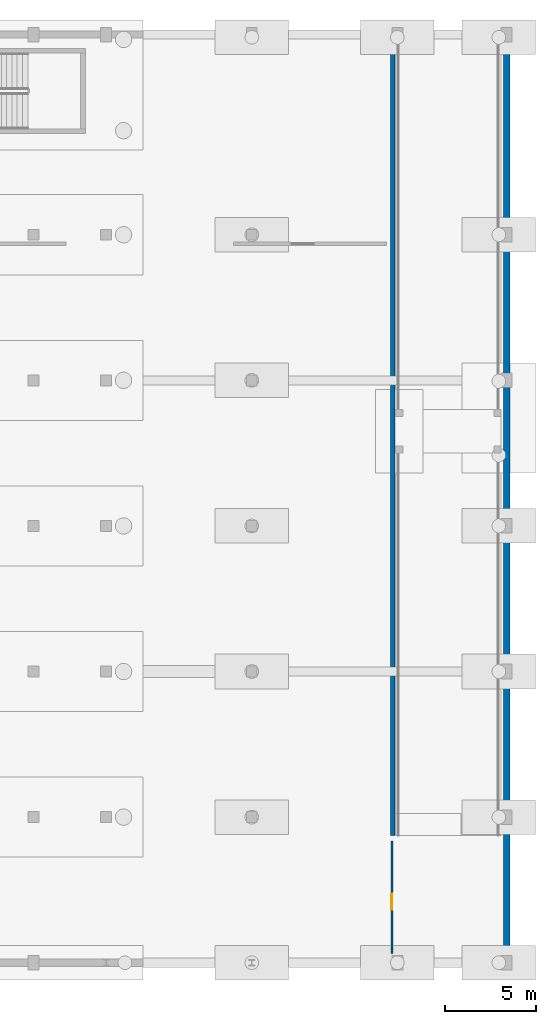
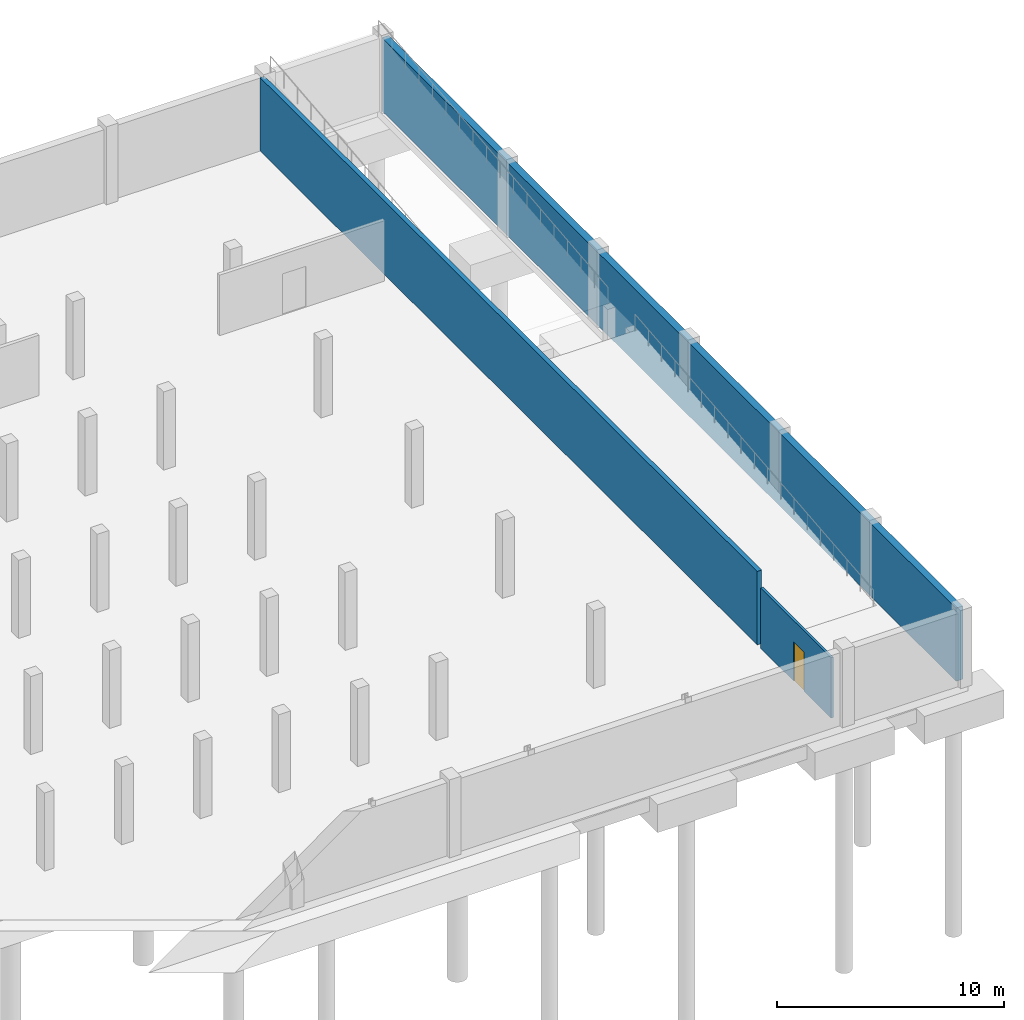
# One storey, part 9 of 15: 3 walls, 1 door, 1 opening.
"""IFC4 building model written with IfcOpenShell, lengths in metres."""

import ifcopenshell
import ifcopenshell.guid

model = None  # the IFC model being written
_history = None  # IfcOwnerHistory: only IFC2X3 demands one
_inside = {}  # id of a spatial element -> (the spatial element, [elements in it])
_under = {}  # id of a project, library or spatial element -> (it, [spatial elements below it])
_declared = {}  # id of a project -> (the project, [libraries it declares])
_typed = {}  # id of a type object -> (the type object, [elements of that type])
_made_of = {}  # id of a material, layer set ... -> (it, [elements and type objects made of it])


def new_model(schema):
    """Start an empty IFC model of exactly this schema.

    Asked for "IFC4X3", IfcOpenShell would pick the latest addendum, in which some entities
    have other attributes; the version numbers below select the first issue.
    IFC2X3 requires an IfcOwnerHistory on every rooted entity: one is made here for all.
    """
    global model, _history
    if schema == "IFC4X3":
        model = ifcopenshell.file(schema_version=(4, 3, 0, 0))
    else:
        model = ifcopenshell.file(schema=schema)
    _inside.clear()
    _under.clear()
    _declared.clear()
    _typed.clear()
    _made_of.clear()
    _history = None
    if model.schema == "IFC2X3":
        org = make("IfcOrganization", Name="unknown")
        user = make(
            "IfcPersonAndOrganization",
            ThePerson=make("IfcPerson", FamilyName="unknown"),
            TheOrganization=org,
        )
        app = make(
            "IfcApplication",
            ApplicationDeveloper=org,
            Version="unknown",
            ApplicationFullName="unknown",
            ApplicationIdentifier="unknown",
        )
        _history = make(
            "IfcOwnerHistory",
            OwningUser=user,
            OwningApplication=app,
            ChangeAction="ADDED",
            CreationDate=0,
        )
    return model


def make(cls, **values):
    """One entity of the class cls with the attributes given. An attribute that is None is left unset."""
    return model.create_entity(
        cls, **{name: value for name, value in values.items() if value is not None}
    )


def rooted(cls, **values):
    """An entity with a GlobalId (a new one), such as an element, a storey or a relation."""
    return make(cls, GlobalId=ifcopenshell.guid.new(), OwnerHistory=_history, **values)


def si_unit(unit_type, name, prefix=None):
    """IfcSIUnit, for example si_unit("LENGTHUNIT", "METRE", prefix="MILLI")."""
    return make("IfcSIUnit", UnitType=unit_type, Prefix=prefix, Name=name)


def derived_unit(unit_type, elements):
    """IfcDerivedUnit: a product of units, each with its exponent."""
    return make(
        "IfcDerivedUnit",
        Elements=[
            make("IfcDerivedUnitElement", Unit=unit, Exponent=power)
            for unit, power in elements
        ],
        UnitType=unit_type,
    )


def assignment(units):
    """IfcUnitAssignment: the units of a project."""
    return None if units is None else make("IfcUnitAssignment", Units=units)


def point(xyz):
    """IfcCartesianPoint."""
    return None if xyz is None else make("IfcCartesianPoint", Coordinates=xyz)


def direction(xyz):
    """IfcDirection."""
    return None if xyz is None else make("IfcDirection", DirectionRatios=xyz)


def frame(location, z_axis=None, x_axis=None):
    """IfcAxis2Placement3D, a coordinate frame: its origin and axes. An axis left out is left unset."""
    return make(
        "IfcAxis2Placement3D",
        Location=point(location),
        Axis=direction(z_axis),
        RefDirection=direction(x_axis),
    )


def frame_2d(location, x_axis=None):
    """IfcAxis2Placement2D, a coordinate frame in the plane: its origin and x axis."""
    return make(
        "IfcAxis2Placement2D", Location=point(location), RefDirection=direction(x_axis)
    )


def origin():
    """The frame at (0, 0, 0) with its axes left unset."""
    return frame((0.0, 0.0, 0.0))


def place(relative_to, where):
    """IfcLocalPlacement: puts the frame where relative to a parent placement (None: the world)."""
    return make(
        "IfcLocalPlacement", PlacementRelTo=relative_to, RelativePlacement=where
    )


def context(
    kind, dimensions, precision=None, world=None, true_north=None, identifier=None
):
    """IfcGeometricRepresentationContext, for example the 3D "Model" context."""
    return make(
        "IfcGeometricRepresentationContext",
        ContextIdentifier=identifier,
        ContextType=kind,
        CoordinateSpaceDimension=dimensions,
        Precision=precision,
        WorldCoordinateSystem=world,
        TrueNorth=true_north,
    )


def subcontext(parent, identifier, kind, view, scale=None):
    """IfcGeometricRepresentationSubContext, for example "Body" below "Model"."""
    return make(
        "IfcGeometricRepresentationSubContext",
        ContextIdentifier=identifier,
        ContextType=kind,
        ParentContext=parent,
        TargetScale=scale,
        TargetView=view,
    )


def project(units=None, contexts=None):
    """IfcProject with its units and contexts."""
    return rooted(
        "IfcProject",
        Name="project",
        RepresentationContexts=contexts,
        UnitsInContext=assignment(units),
    )


def spatial(cls, under=None, at=None, **own):
    """A site, building, storey or space (cls), placed at a placement, below another one or the project."""
    s = rooted(cls, ObjectPlacement=at, **own)
    if under is not None:
        _under.setdefault(under.id(), (under, []))[1].append(s)
    return s


def profile(cls, at=None, kind="AREA", **sizes):
    """A parametric profile (cls). Its sizes go by their IFC names, for example OverallWidth=200.0."""
    return make(cls, ProfileType=kind, Position=at, **sizes)


def rectangle(**sizes):
    """IfcRectangleProfileDef."""
    return profile("IfcRectangleProfileDef", **sizes)


def extrude(swept, where, along, depth):
    """IfcExtrudedAreaSolid: the profile swept, set in the frame where, extruded along a direction by depth."""
    return make(
        "IfcExtrudedAreaSolid",
        SweptArea=swept,
        Position=where,
        ExtrudedDirection=direction(along),
        Depth=depth,
    )


def shape(context_of_items, identifier, shape_type, items):
    """IfcShapeRepresentation: the items that make up one representation, for example the "Body"."""
    return make(
        "IfcShapeRepresentation",
        ContextOfItems=context_of_items,
        RepresentationIdentifier=identifier,
        RepresentationType=shape_type,
        Items=items,
    )


def material(Name=None, Category=None):
    """IfcMaterial."""
    return make("IfcMaterial", Name=Name, Category=Category)


def layer(
    of_material, thickness, ventilated=None, Name=None, Category=None, Priority=None
):
    """IfcMaterialLayer: one layer of a wall or slab, of a material (None: an air gap)."""
    return make(
        "IfcMaterialLayer",
        Material=of_material,
        LayerThickness=thickness,
        IsVentilated=ventilated,
        Name=Name,
        Category=Category,
        Priority=Priority,
    )


def layer_set(layers, Name=None):
    """IfcMaterialLayerSet."""
    return make("IfcMaterialLayerSet", MaterialLayers=layers, LayerSetName=Name)


def made_of(thing, what):
    """Note that an element or type object is made of a material, layer set ...; save() writes the relation."""
    if what is not None:
        _made_of.setdefault(what.id(), (what, []))[1].append(thing)
    return thing


def type_object(cls, material=None, **own):
    """A type object (cls), such as IfcWallType, which elements share."""
    return made_of(rooted(cls, **own), material)


def element(
    cls,
    number,
    at=None,
    inside=None,
    cuts=None,
    type_object=None,
    material=None,
    context=None,
    identifier="Body",
    shape_type=None,
    held_by="IfcProductDefinitionShape",
    body=None,
    shapes=None,
    **own,
):
    """One element of the class cls, such as IfcWall. Its Tag is "e" and its number.

    at: its placement. inside: the storey or other place that contains it. cuts: it is an
    opening in that element (IfcRelVoidsElement). A single representation is given by context,
    identifier, shape_type and body (its items); several are given by shapes. held_by: the class
    of the entity that holds the representations. save() writes the other relations.
    """
    e = rooted(cls, Tag="e%d" % number, ObjectPlacement=at, **own)
    if body is not None:
        shapes = [shape(context, identifier, shape_type, body)]
    if shapes is not None:
        e.Representation = make(held_by, Representations=shapes)
    if inside is not None:
        _inside.setdefault(inside.id(), (inside, []))[1].append(e)
    if cuts is not None:
        rooted(
            "IfcRelVoidsElement", RelatingBuildingElement=cuts, RelatedOpeningElement=e
        )
    if type_object is not None:
        _typed.setdefault(type_object.id(), (type_object, []))[1].append(e)
    return made_of(e, material)


def fill(opening, filler):
    """IfcRelFillsElement: the door or window that sits in an opening."""
    return rooted(
        "IfcRelFillsElement",
        RelatingOpeningElement=opening,
        RelatedBuildingElement=filler,
    )


def aggregate(whole, parts):
    """IfcRelAggregates: a whole, such as a stair, and the parts it consists of."""
    return rooted("IfcRelAggregates", RelatingObject=whole, RelatedObjects=parts)


def save(model, path):
    """Write the relations noted so far, then the file.

    IfcRelAggregates (storeys below a building ...), IfcRelContainedInSpatialStructure (elements
    in a storey), IfcRelDefinesByType, IfcRelAssociatesMaterial and IfcRelDeclares: one each for
    every whole, place, type object, material and project.
    """
    for whole, parts in _under.values():
        aggregate(whole, parts)
    for where, things in _inside.values():
        rooted(
            "IfcRelContainedInSpatialStructure",
            RelatedElements=things,
            RelatingStructure=where,
        )
    for kind, things in _typed.values():
        rooted("IfcRelDefinesByType", RelatedObjects=things, RelatingType=kind)
    for what, things in _made_of.values():
        rooted("IfcRelAssociatesMaterial", RelatedObjects=things, RelatingMaterial=what)
    for by, libraries in _declared.values():
        rooted("IfcRelDeclares", RelatingContext=by, RelatedDefinitions=libraries)
    model.write(path)


model = new_model("IFC4")

# Units and contexts
model_context = context("Model", 3, precision=1e-05, world=origin(), true_north=direction((0.0, 1.0)))
body_context = subcontext(model_context, "Body", "Model", "MODEL_VIEW")
ifc_project = project(units=[si_unit("LENGTHUNIT", "METRE"), si_unit("AREAUNIT", "SQUARE_METRE"), si_unit("VOLUMEUNIT", "CUBIC_METRE"), si_unit("PLANEANGLEUNIT", "RADIAN"), si_unit("MASSUNIT", "GRAM", prefix="KILO"), derived_unit("THERMALTRANSMITTANCEUNIT", [(si_unit("POWERUNIT", "WATT"), 1), (si_unit("LENGTHUNIT", "METRE"), -2), (si_unit("THERMODYNAMICTEMPERATUREUNIT", "KELVIN"), -1)])], contexts=[model_context])

# Site, building, storey
site_placement = place(None, origin())
site = spatial("IfcSite", under=ifc_project, at=site_placement, CompositionType="ELEMENT")
building_placement = place(site_placement, origin())
building = spatial("IfcBuilding", under=site, at=building_placement, Name="Keldorne Ridge Multi-Sports Centre", CompositionType="ELEMENT")
storey_placement = place(building_placement, frame((0.0, 0.0, -4.199951171875)))
storey = spatial("IfcBuildingStorey", under=building, at=storey_placement, Name="B01", CompositionType="ELEMENT", Elevation=-4.199951171875)

# Wall, opening, door
ifc_material_1 = material(Name="Acoustic metal stud plasterboard")
ifc_layer_1 = layer(ifc_material_1, 0.125)
ifc_layer_set_1 = layer_set([ifc_layer_1])
wall_type_1 = type_object("IfcWallType", Name="WAL-PT-01", PredefinedType="PARTITIONING", material=ifc_layer_set_1)
wall_1_placement = place(storey_placement, frame((167.699951171875, 66.5, 0.0), z_axis=(0.0, 0.0, 1.0), x_axis=(0.0, 1.0, 0.0)))
wall_1 = element("IfcWall", 1, at=wall_1_placement, inside=storey, type_object=wall_type_1, Name="Basement equipment store wall IW-B01-010", PredefinedType="PARTITIONING", context=body_context, shape_type="SweptSolid", body=[
    extrude(rectangle(XDim=6.199951171875, YDim=0.125, at=frame_2d((3.10009765625, 0.0))), origin(), (0.0, 0.0, 1.0), 3.25),
])
opening_placement = place(wall_1_placement, frame((2.39990234375, 0.0, 0.0)))
opening = element("IfcOpeningElement", 2, at=opening_placement, cuts=wall_1, Name="Opening D-12", PredefinedType="OPENING", context=body_context, shape_type="SweptSolid", body=[
    extrude(rectangle(XDim=0.89990234375, YDim=2.10009765625, at=frame_2d((0.449951171875, 1.050048828125))), frame((0.0, 0.072509765625, 0.0), z_axis=(0.0, -1.0, 0.0), x_axis=(1.0, 0.0, 0.0)), (0.0, 0.0, 1.0), 0.14501953125),
])
ifc_material_2 = material(Name="Timber acoustic leaf", Category="wood")
door_type = type_object("IfcDoorType", Name="DR-D-12", OperationType="NOTDEFINED", PredefinedType="DOOR", material=ifc_material_2)
door_placement = place(opening_placement, origin())
door = element("IfcDoor", 3, at=door_placement, inside=storey, type_object=door_type, Name="Basement equipment store door D-061", OperationType="SINGLE_SWING_RIGHT", OverallHeight=2.10009765625, OverallWidth=0.89990234375, PredefinedType="DOOR", context=body_context, shape_type="SweptSolid", body=[
    extrude(rectangle(XDim=0.89990234375, YDim=2.10009765625, at=frame_2d((0.449951171875, 1.050048828125))), frame((0.0, 0.02490234375, 0.0), z_axis=(0.0, -1.0, 0.0), x_axis=(1.0, 0.0, 0.0)), (0.0, 0.0, 1.0), 0.050048828125),
])
fill(opening, door)

# Walls
ifc_material_3 = material(Name="Concrete C40/50", Category="concrete")
ifc_layer_2 = layer(ifc_material_3, 0.35009765625)
ifc_layer_set_2 = layer_set([ifc_layer_2], Name="Concrete C40/50")
wall_type_2 = type_object("IfcWallType", Name="WAL-RW02", PredefinedType="SOLIDWALL", material=ifc_layer_set_2)
wall_2_placement = place(storey_placement, frame((174.0, 66.199951171875, 0.0), z_axis=(0.0, 0.0, 1.0), x_axis=(0.0, 1.0, 0.0)))
element("IfcWall", 4, at=wall_2_placement, inside=storey, type_object=wall_type_2, Name="Basement waterproof retaining wall RW-E", PredefinedType="SOLIDWALL", context=body_context, shape_type="SweptSolid", body=[
    extrude(rectangle(XDim=50.60009765625, YDim=0.35009765625, at=frame_2d((25.300048828125, 0.0))), origin(), (0.0, 0.0, 1.0), 3.929931640625),
])
ifc_layer_3 = layer(ifc_material_3, 0.22998046875)
ifc_layer_set_3 = layer_set([ifc_layer_3], Name="Concrete C40/50")
wall_type_3 = type_object("IfcWallType", Name="WAL-SW02", PredefinedType="SHEAR", material=ifc_layer_set_3)
wall_3_placement = place(storey_placement, frame((167.75, 73.0, 0.0), z_axis=(0.0, 0.0, 1.0), x_axis=(0.0, 1.0, 0.0)))
element("IfcWall", 5, at=wall_3_placement, inside=storey, type_object=wall_type_3, Name="Basement vehicle ramp fire wall", PredefinedType="SHEAR", context=body_context, shape_type="SweptSolid", body=[
    extrude(rectangle(XDim=43.800048828125, YDim=0.22998046875, at=frame_2d((21.89990234375, 0.0))), origin(), (0.0, 0.0, 1.0), 3.949951171875),
])

save(model, "model.ifc")
